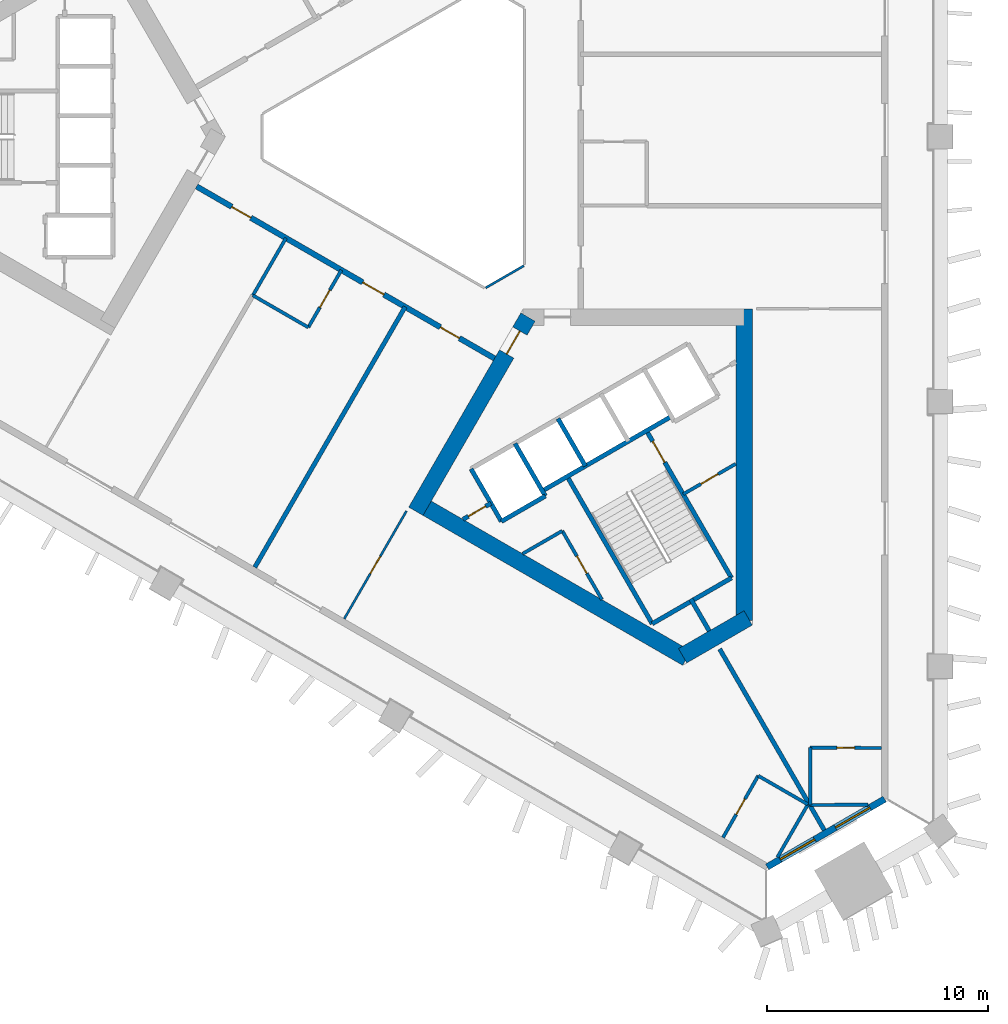
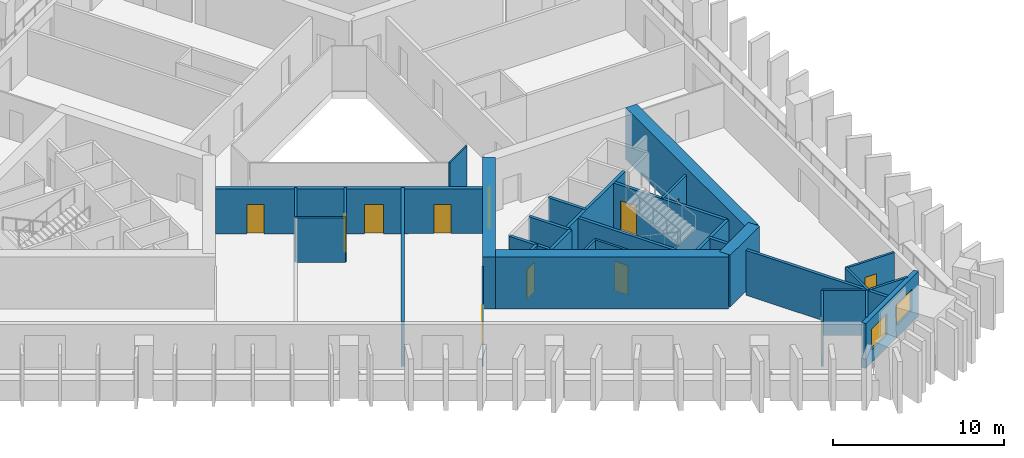
# One storey, part 3 of 11: 32 walls, 12 doors, 2 windows, 14 openings.
"""IFC4 building model written with IfcOpenShell, lengths in metres."""

from ifc_helpers import new_model, si_unit, direction, frame, frame_2d, origin, place, context, subcontext, project, spatial, rectangle, extrude, material, layer, layer_set, type_object, element, fill, save


model = new_model("IFC4")

# Units and contexts
model_context = context("Model", 3, precision=1e-05, world=origin(), true_north=direction((0.0, 1.0)))
body_context = subcontext(model_context, "Body", "Model", "MODEL_VIEW")
ifc_project = project(units=[si_unit("LENGTHUNIT", "METRE"), si_unit("AREAUNIT", "SQUARE_METRE"), si_unit("VOLUMEUNIT", "CUBIC_METRE"), si_unit("PLANEANGLEUNIT", "RADIAN"), si_unit("MASSUNIT", "GRAM", prefix="KILO")], contexts=[model_context])

# Site, building, storey
site_placement = place(None, origin())
site = spatial("IfcSite", under=ifc_project, at=site_placement, CompositionType="ELEMENT")
building_placement = place(site_placement, origin())
building = spatial("IfcBuilding", under=site, at=building_placement, Name="Jabali Bay Hotel Tower and Convention Centre", CompositionType="ELEMENT")
storey_placement = place(building_placement, frame((0.0, 0.0, 61.0)))
storey = spatial("IfcBuildingStorey", under=building, at=storey_placement, Name="L13", CompositionType="ELEMENT", Elevation=61.0)

# Walls
ifc_material_1 = material(Name="Fire-resistant glazing", Category="glass")
ifc_layer_1 = layer(ifc_material_1, 0.10009765625)
ifc_layer_set_1 = layer_set([ifc_layer_1], Name="Fire-resistant glazing")
wall_type_1 = type_object("IfcWallType", Name="Atrium glazed screen 100", PredefinedType="PARTITIONING", material=ifc_layer_set_1)
wall_1_placement = place(storey_placement, frame((77.7978515625, 73.15380859375, 0.0), z_axis=(0.0, 0.0, 1.0), x_axis=(0.866041268327, 0.499972520799, 0.0)))
element("IfcWall", 1, at=wall_1_placement, inside=storey, type_object=wall_type_1, Name="Atrium screen 6 L13", PredefinedType="PARTITIONING", context=body_context, shape_type="SweptSolid", body=[
    extrude(rectangle(XDim=2.0, YDim=0.10009765625, at=frame_2d((1.0, 0.0))), origin(), (0.0, 0.0, 1.0), 3.199951171875),
])
ifc_material_2 = material(Name="Concrete C40", Category="concrete")
ifc_layer_2 = layer(ifc_material_2, 0.199951171875)
ifc_layer_set_2 = layer_set([ifc_layer_2], Name="Concrete C40")
wall_type_2 = type_object("IfcWallType", Name="Core partition wall 200", PredefinedType="PARTITIONING", material=ifc_layer_set_2)
wall_2_placement = place(storey_placement, frame((87.090087890625, 59.0595703125, 0.0), z_axis=(0.0, 0.0, 1.0), x_axis=(0.499937194881, -0.866061661301, 0.0)))
element("IfcWall", 2, at=wall_2_placement, inside=storey, type_object=wall_type_2, Name="Core wall 2.5 L13", PredefinedType="PARTITIONING", context=body_context, shape_type="SweptSolid", body=[
    extrude(rectangle(XDim=1.673095703125, YDim=0.199951171875, at=frame_2d((0.83642578125, 0.0))), origin(), (0.0, 0.0, 1.0), 3.199951171875),
])

# Wall, opening, door
wall_3_placement = place(storey_placement, frame((76.77001953125, 62.662109375, 0.0), z_axis=(0.0, 0.0, 1.0), x_axis=(0.866054810376, 0.49994906283, 0.0)))
wall_3 = element("IfcWall", 3, at=wall_3_placement, inside=storey, type_object=wall_type_2, Name="Core wall 2.11 L13", PredefinedType="PARTITIONING", context=body_context, shape_type="SweptSolid", body=[
    extrude(rectangle(XDim=1.461181640625, YDim=0.199951171875, at=frame_2d((0.73046875, 0.0))), origin(), (0.0, 0.0, 1.0), 3.199951171875),
])
opening_1_placement = place(wall_3_placement, frame((0.280517578125, 0.0, 0.0)))
opening_1 = element("IfcOpeningElement", 4, at=opening_1_placement, cuts=wall_3, Name="Opening D363", PredefinedType="OPENING", context=body_context, shape_type="SweptSolid", body=[
    extrude(rectangle(XDim=0.89990234375, YDim=2.10009765625, at=frame_2d((0.449951171875, 1.050048828125))), frame((0.0, 0.1103515625, 0.0), z_axis=(0.0, -1.0, 0.0), x_axis=(1.0, 0.0, 0.0)), (0.0, 0.0, 1.0), 0.220947265625),
])
ifc_material_3 = material(Name="Fire-rated steel door", Category="steel")
door_type_1 = type_object("IfcDoorType", Name="Vestibule fire door 900 x 2100", OperationType="NOTDEFINED", PredefinedType="NOTDEFINED", material=ifc_material_3)
door_1_placement = place(opening_1_placement, origin())
door_1 = element("IfcDoor", 5, at=door_1_placement, inside=storey, type_object=door_type_1, Name="Vestibule fire door D363", OperationType="SINGLE_SWING_LEFT", OverallHeight=2.10009765625, OverallWidth=0.89990234375, PredefinedType="NOTDEFINED", context=body_context, shape_type="SweptSolid", body=[
    extrude(rectangle(XDim=0.89990234375, YDim=2.10009765625, at=frame_2d((0.449951171875, 1.050048828125))), frame((0.0, 0.02490234375, 0.0), z_axis=(0.0, -1.0, 0.0), x_axis=(1.0, 0.0, 0.0)), (0.0, 0.0, 1.0), 0.050048828125),
])
fill(opening_1, door_1)

ifc_material_4 = material(Name="Fire-rated board partition")
ifc_layer_3 = layer(ifc_material_4, 0.14990234375)
ifc_layer_set_3 = layer_set([ifc_layer_3], Name="Fire-rated board partition")
wall_type_3 = type_object("IfcWallType", Name="Core room partition 150", PredefinedType="PARTITIONING", material=ifc_layer_set_3)
wall_4_placement = place(storey_placement, frame((81.268798828125, 62.141845703125, 0.0), z_axis=(0.0, 0.0, 1.0), x_axis=(0.500043557135, -0.866000254601, 0.0)))
wall_4 = element("IfcWall", 6, at=wall_4_placement, inside=storey, type_object=wall_type_3, Name="Core wall 2.1 L13", PredefinedType="PARTITIONING", context=body_context, shape_type="SweptSolid", body=[
    extrude(rectangle(XDim=3.597900390625, YDim=0.14990234375, at=frame_2d((1.798828125, 0.0))), origin(), (0.0, 0.0, 1.0), 3.199951171875),
])
opening_2_placement = place(wall_4_placement, frame((1.321533203125, 0.0, 0.0)))
opening_2 = element("IfcOpeningElement", 7, at=opening_2_placement, cuts=wall_4, Name="Opening D365", PredefinedType="OPENING", context=body_context, shape_type="SweptSolid", body=[
    extrude(rectangle(XDim=0.89990234375, YDim=2.10009765625, at=frame_2d((0.449951171875, 1.050048828125))), frame((0.0, 0.08544921875, 0.0), z_axis=(0.0, -1.0, 0.0), x_axis=(1.0, 0.0, 0.0)), (0.0, 0.0, 1.0), 0.1708984375),
])
door_type_2 = type_object("IfcDoorType", Name="Core room door 900 x 2100", OperationType="NOTDEFINED", PredefinedType="NOTDEFINED", material=ifc_material_3)
door_2_placement = place(opening_2_placement, origin())
door_2 = element("IfcDoor", 8, at=door_2_placement, inside=storey, type_object=door_type_2, Name="Core room door D365", OperationType="SINGLE_SWING_LEFT", OverallHeight=2.10009765625, OverallWidth=0.89990234375, PredefinedType="NOTDEFINED", context=body_context, shape_type="SweptSolid", body=[
    extrude(rectangle(XDim=0.89990234375, YDim=2.10009765625, at=frame_2d((0.449951171875, 1.050048828125))), frame((0.0, 0.02490234375, 0.0), z_axis=(0.0, -1.0, 0.0), x_axis=(1.0, 0.0, 0.0)), (0.0, 0.0, 1.0), 0.050048828125),
])
fill(opening_2, door_2)

# Wall
wall_5_placement = place(storey_placement, frame((79.469970703125, 61.103271484375, 0.0), z_axis=(0.0, 0.0, 1.0), x_axis=(0.866021168401, 0.500007335828, 0.0)))
element("IfcWall", 9, at=wall_5_placement, inside=storey, type_object=wall_type_3, Name="Core wall 2.16 L13", PredefinedType="PARTITIONING", context=body_context, shape_type="SweptSolid", body=[
    extrude(rectangle(XDim=2.0771484375, YDim=0.14990234375, at=frame_2d((1.03857421875, 0.0))), origin(), (0.0, 0.0, 1.0), 3.199951171875),
])

# Wall, opening, door
wall_6_placement = place(storey_placement, frame((86.7470703125, 63.8037109375, 0.0), z_axis=(0.0, 0.0, 1.0), x_axis=(0.866023045711, 0.500004084281, 0.0)))
wall_6 = element("IfcWall", 10, at=wall_6_placement, inside=storey, type_object=wall_type_3, Name="Core wall 2.17 L13", PredefinedType="PARTITIONING", context=body_context, shape_type="SweptSolid", body=[
    extrude(rectangle(XDim=2.75146484375, YDim=0.14990234375, at=frame_2d((1.375732421875, 0.0))), origin(), (0.0, 0.0, 1.0), 3.199951171875),
])
opening_3_placement = place(wall_6_placement, frame((0.92578125, 0.0, 0.0)))
opening_3 = element("IfcOpeningElement", 11, at=opening_3_placement, cuts=wall_6, Name="Opening D361", PredefinedType="OPENING", context=body_context, shape_type="SweptSolid", body=[
    extrude(rectangle(XDim=0.89990234375, YDim=2.10009765625, at=frame_2d((0.449951171875, 1.050048828125))), frame((0.0, 0.08544921875, 0.0), z_axis=(0.0, -1.0, 0.0), x_axis=(1.0, 0.0, 0.0)), (0.0, 0.0, 1.0), 0.1708984375),
])
door_3_placement = place(opening_3_placement, origin())
door_3 = element("IfcDoor", 12, at=door_3_placement, inside=storey, type_object=door_type_2, Name="Core room door D361", OperationType="SINGLE_SWING_LEFT", OverallHeight=2.10009765625, OverallWidth=0.89990234375, PredefinedType="NOTDEFINED", context=body_context, shape_type="SweptSolid", body=[
    extrude(rectangle(XDim=0.89990234375, YDim=2.10009765625, at=frame_2d((0.449951171875, 1.050048828125))), frame((0.0, 0.02490234375, 0.0), z_axis=(0.0, -1.0, 0.0), x_axis=(1.0, 0.0, 0.0)), (0.0, 0.0, 1.0), 0.050048828125),
])
fill(opening_3, door_3)

# Walls
ifc_layer_4 = layer(ifc_material_2, 0.199951171875)
ifc_layer_set_4 = layer_set([ifc_layer_4], Name="Concrete C40")
wall_type_4 = type_object("IfcWallType", Name="Core stair wall 200", PredefinedType="SOLIDWALL", material=ifc_layer_set_4)
for number, where, z_axis, x_axis, name in (
    (13, (77.13525390625, 64.95166015625, 0.0), (0.0, 0.0, 1.0), (0.499996545922, -0.866027397988, 0.0), "Core wall 2.0 L13"),
    (14, (79.127197265625, 66.1015625, 0.0), (0.0, 0.0, 1.0), (0.499996545922, -0.866027397988, 0.0), "Core wall 2.2 L13"),
):
    element("IfcWall", number, at=place(storey_placement, frame(where, z_axis=z_axis, x_axis=x_axis)), inside=storey, type_object=wall_type_4, Name=name, PredefinedType="SOLIDWALL", context=body_context, shape_type="SweptSolid", body=[
        extrude(rectangle(XDim=2.75, YDim=0.199951171875, at=frame_2d((1.375, 0.0))), origin(), (0.0, 0.0, 1.0), 3.199951171875),
    ])
wall_7_placement = place(storey_placement, frame((81.492919921875, 64.603759765625, 0.0), z_axis=(0.0, 0.0, 1.0), x_axis=(0.500006057782, -0.866021906294, 0.0)))
element("IfcWall", 15, at=wall_7_placement, inside=storey, type_object=wall_type_4, Name="Core wall 2.3 L13", PredefinedType="SOLIDWALL", context=body_context, shape_type="SweptSolid", body=[
    extrude(rectangle(XDim=7.7001953125, YDim=0.199951171875, at=frame_2d((3.85009765625, 0.0))), origin(), (0.0, 0.0, 1.0), 3.199951171875),
])
wall_8_placement = place(storey_placement, frame((81.07568359375, 67.2265625, 0.0), z_axis=(0.0, 0.0, 1.0), x_axis=(0.50000366821, -0.866023285932, 0.0)))
element("IfcWall", 16, at=wall_8_placement, inside=storey, type_object=wall_type_4, Name="Core wall 2.4 L13", PredefinedType="SOLIDWALL", context=body_context, shape_type="SweptSolid", body=[
    extrude(rectangle(XDim=2.47998046875, YDim=0.199951171875, at=frame_2d((1.239990234375, 0.0))), origin(), (0.0, 0.0, 1.0), 3.199951171875),
])

# Wall, opening, door
wall_9_placement = place(storey_placement, frame((85.0869140625, 66.6787109375, 0.0), z_axis=(0.0, 0.0, 1.0), x_axis=(0.500019787375, -0.866013979237, 0.0)))
wall_9 = element("IfcWall", 17, at=wall_9_placement, inside=storey, type_object=wall_type_4, Name="Core wall 2.7 L13", PredefinedType="SOLIDWALL", context=body_context, shape_type="SweptSolid", body=[
    extrude(rectangle(XDim=7.699951171875, YDim=0.199951171875, at=frame_2d((3.85009765625, 0.0))), origin(), (0.0, 0.0, 1.0), 3.199951171875),
])
opening_4_placement = place(wall_9_placement, frame((0.550048828125, 0.0, 0.0)))
opening_4 = element("IfcOpeningElement", 18, at=opening_4_placement, cuts=wall_9, Name="Opening D364", PredefinedType="OPENING", context=body_context, shape_type="SweptSolid", body=[
    extrude(rectangle(XDim=1.10009765625, YDim=2.10009765625, at=frame_2d((0.550048828125, 1.050048828125))), frame((0.0, 0.1103515625, 0.0), z_axis=(0.0, -1.0, 0.0), x_axis=(1.0, 0.0, 0.0)), (0.0, 0.0, 1.0), 0.220947265625),
])
door_type_3 = type_object("IfcDoorType", Name="Stair fire door 1100 x 2100", OperationType="NOTDEFINED", PredefinedType="NOTDEFINED", material=ifc_material_3)
door_4_placement = place(opening_4_placement, origin())
door_4 = element("IfcDoor", 19, at=door_4_placement, inside=storey, type_object=door_type_3, Name="Stair fire door D364", OperationType="SINGLE_SWING_RIGHT", OverallHeight=2.10009765625, OverallWidth=1.10009765625, PredefinedType="NOTDEFINED", context=body_context, shape_type="SweptSolid", body=[
    extrude(rectangle(XDim=1.10009765625, YDim=2.10009765625, at=frame_2d((0.550048828125, 1.050048828125))), frame((0.0, 0.02490234375, 0.0), z_axis=(0.0, -1.0, 0.0), x_axis=(1.0, 0.0, 0.0)), (0.0, 0.0, 1.0), 0.050048828125),
])
fill(opening_4, door_4)

# Walls
wall_10_placement = place(storey_placement, frame((80.3671875, 63.953857421875, 0.0), z_axis=(0.0, 0.0, 1.0), x_axis=(0.866026575979, 0.499997969693, 0.0)))
element("IfcWall", 20, at=wall_10_placement, inside=storey, type_object=wall_type_4, Name="Core wall 2.13 L13", PredefinedType="SOLIDWALL", context=body_context, shape_type="SweptSolid", body=[
    extrude(rectangle(XDim=6.75, YDim=0.199951171875, at=frame_2d((3.375, 0.0))), origin(), (0.0, 0.0, 1.0), 3.199951171875),
])
wall_11_placement = place(storey_placement, frame((78.51025390625, 62.570068359375, 0.0), z_axis=(0.0, 0.0, 1.0), x_axis=(0.866053019151, 0.499952165731, 0.0)))
element("IfcWall", 21, at=wall_11_placement, inside=storey, type_object=wall_type_4, Name="Core wall 2.14 L13", PredefinedType="SOLIDWALL", context=body_context, shape_type="SweptSolid", body=[
    extrude(rectangle(XDim=2.300048828125, YDim=0.199951171875, at=frame_2d((1.14990234375, 0.0))), origin(), (0.0, 0.0, 1.0), 3.199951171875),
])
wall_12_placement = place(storey_placement, frame((85.343017578125, 57.935302734375, 0.0), z_axis=(0.0, 0.0, 1.0), x_axis=(0.866004344652, 0.500036473714, 0.0)))
element("IfcWall", 22, at=wall_12_placement, inside=storey, type_object=wall_type_4, Name="Core wall 2.18 L13", PredefinedType="SOLIDWALL", context=body_context, shape_type="SweptSolid", body=[
    extrude(rectangle(XDim=4.150146484375, YDim=0.199951171875, at=frame_2d((2.0751953125, 0.0))), origin(), (0.0, 0.0, 1.0), 3.199951171875),
])

# Wall, opening, door
ifc_material_5 = material(Name="Concrete C60", Category="concrete")
ifc_layer_5 = layer(ifc_material_5, 0.75)
ifc_layer_set_5 = layer_set([ifc_layer_5], Name="Concrete C60")
wall_type_5 = type_object("IfcWallType", Name="Core wall 750", PredefinedType="SHEAR", material=ifc_layer_set_5)
wall_13_placement = place(storey_placement, frame((79.716552734375, 71.830810546875, 0.0), z_axis=(0.0, 0.0, 1.0), x_axis=(-0.499996230114, -0.866027580318, 0.0)))
wall_13 = element("IfcWall", 23, at=wall_13_placement, inside=storey, type_object=wall_type_5, Name="Core wall 3.1 L13", PredefinedType="SHEAR", context=body_context, shape_type="SweptSolid", body=[
    extrude(rectangle(XDim=10.16357421875, YDim=0.75, at=frame_2d((5.081787109375, 0.0))), origin(), (0.0, 0.0, 1.0), 3.699951171875),
])
opening_5_placement = place(wall_13_placement, frame((0.7333984375, 0.0, 0.0)))
opening_5 = element("IfcOpeningElement", 24, at=opening_5_placement, cuts=wall_13, Name="Opening D359", PredefinedType="OPENING", context=body_context, shape_type="SweptSolid", body=[
    extrude(rectangle(XDim=1.199951171875, YDim=2.10009765625, at=frame_2d((0.60009765625, 1.050048828125))), frame((0.0, 0.385498046875, 0.0), z_axis=(0.0, -1.0, 0.0), x_axis=(1.0, 0.0, 0.0)), (0.0, 0.0, 1.0), 0.77099609375),
])
door_type_4 = type_object("IfcDoorType", Name="Corridor end fire door 1200 x 2100", OperationType="NOTDEFINED", PredefinedType="NOTDEFINED", material=ifc_material_3)
door_5_placement = place(opening_5_placement, origin())
door_5 = element("IfcDoor", 25, at=door_5_placement, inside=storey, type_object=door_type_4, Name="Corridor end fire door D359", OperationType="SINGLE_SWING_RIGHT", OverallHeight=2.10009765625, OverallWidth=1.199951171875, PredefinedType="NOTDEFINED", context=body_context, shape_type="SweptSolid", body=[
    extrude(rectangle(XDim=1.199951171875, YDim=2.10009765625, at=frame_2d((0.60009765625, 1.050048828125))), frame((0.0, 0.02490234375, 0.0), z_axis=(0.0, -1.0, 0.0), x_axis=(1.0, 0.0, 0.0)), (0.0, 0.0, 1.0), 0.050048828125),
])
fill(opening_5, door_5)

# Walls
wall_14_placement = place(storey_placement, frame((74.822265625, 63.353759765625, 0.0), z_axis=(0.0, 0.0, 1.0), x_axis=(0.8660248072, -0.500001033313, 0.0)))
element("IfcWall", 26, at=wall_14_placement, inside=storey, type_object=wall_type_5, Name="Core wall 3.2 L13", PredefinedType="SHEAR", context=body_context, shape_type="SweptSolid", body=[
    extrude(rectangle(XDim=13.95849609375, YDim=0.75, at=frame_2d((6.979248046875, 0.0))), origin(), (0.0, 0.0, 1.0), 3.699951171875),
])
wall_15_placement = place(storey_placement, frame((86.72314453125, 56.482666015625, 0.0), z_axis=(0.0, 0.0, 1.0), x_axis=(0.866017201164, 0.500014207086, 0.0)))
element("IfcWall", 27, at=wall_15_placement, inside=storey, type_object=wall_type_5, Name="Core wall 3.3 L13", PredefinedType="SHEAR", context=body_context, shape_type="SweptSolid", body=[
    extrude(rectangle(XDim=3.4287109375, YDim=0.75, at=frame_2d((1.71435546875, 0.0))), origin(), (0.0, 0.0, 1.0), 3.699951171875),
])
wall_16_placement = place(storey_placement, frame((89.5048828125, 58.0888671875, 0.0), z_axis=(0.0, 0.0, 1.0), x_axis=(0.0, 1.0, 0.0)))
element("IfcWall", 28, at=wall_16_placement, inside=storey, type_object=wall_type_5, Name="Core wall 3.4 L13", PredefinedType="SHEAR", context=body_context, shape_type="SweptSolid", body=[
    extrude(rectangle(XDim=14.116943359375, YDim=0.75, at=frame_2d((7.05859375, 0.0))), origin(), (0.0, 0.0, 1.0), 3.699951171875),
])

# Wall, openings, doors
ifc_layer_6 = layer(ifc_material_5, 0.25)
ifc_layer_set_6 = layer_set([ifc_layer_6], Name="Concrete C60")
wall_type_6 = type_object("IfcWallType", Name="Corridor wall 250", PredefinedType="SHEAR", material=ifc_layer_set_6)
wall_17_placement = place(storey_placement, frame((64.699951171875, 77.748291015625, 0.0), z_axis=(0.0, 0.0, 1.0), x_axis=(0.866026492143, -0.499998114903, 0.0)))
wall_17 = element("IfcWall", 29, at=wall_17_placement, inside=storey, type_object=wall_type_6, Name="Corridor wall 3 L13", PredefinedType="SHEAR", context=body_context, shape_type="SweptSolid", body=[
    extrude(rectangle(XDim=15.58837890625, YDim=0.25, at=frame_2d((7.794189453125, 0.0))), origin(), (0.0, 0.0, 1.0), 3.199951171875),
])
opening_6_placement = place(wall_17_placement, frame((1.83837890625, 0.0, 0.0)))
opening_6 = element("IfcOpeningElement", 30, at=opening_6_placement, cuts=wall_17, Name="Opening 1317", PredefinedType="OPENING", context=body_context, shape_type="SweptSolid", body=[
    extrude(rectangle(XDim=1.0, YDim=2.10009765625, at=frame_2d((0.5, 1.050048828125))), frame((0.0, 0.135498046875, 0.0), z_axis=(0.0, -1.0, 0.0), x_axis=(1.0, 0.0, 0.0)), (0.0, 0.0, 1.0), 0.27099609375),
])
opening_7_placement = place(wall_17_placement, frame((8.694091796875, 0.0, 0.0)))
opening_7 = element("IfcOpeningElement", 31, at=opening_7_placement, cuts=wall_17, Name="Opening 1321", PredefinedType="OPENING", context=body_context, shape_type="SweptSolid", body=[
    extrude(rectangle(XDim=1.10009765625, YDim=2.10009765625, at=frame_2d((0.550048828125, 1.050048828125))), frame((0.0, 0.135498046875, 0.0), z_axis=(0.0, -1.0, 0.0), x_axis=(1.0, 0.0, 0.0)), (0.0, 0.0, 1.0), 0.27099609375),
])
opening_8_placement = place(wall_17_placement, frame((12.750244140625, 0.0, 0.0)))
opening_8 = element("IfcOpeningElement", 32, at=opening_8_placement, cuts=wall_17, Name="Opening 1322", PredefinedType="OPENING", context=body_context, shape_type="SweptSolid", body=[
    extrude(rectangle(XDim=1.0, YDim=2.10009765625, at=frame_2d((0.5, 1.050048828125))), frame((0.0, 0.135498046875, 0.0), z_axis=(0.0, -1.0, 0.0), x_axis=(1.0, 0.0, 0.0)), (0.0, 0.0, 1.0), 0.27099609375),
])
ifc_material_6 = material(Name="Timber", Category="wood")
door_type_5 = type_object("IfcDoorType", Name="Accessible guest room door 1100 x 2100", OperationType="NOTDEFINED", PredefinedType="NOTDEFINED", material=ifc_material_6)
door_6_placement = place(opening_7_placement, origin())
door_6 = element("IfcDoor", 33, at=door_6_placement, inside=storey, type_object=door_type_5, Name="Door 1321", OperationType="SINGLE_SWING_RIGHT", OverallHeight=2.10009765625, OverallWidth=1.10009765625, PredefinedType="NOTDEFINED", context=body_context, shape_type="SweptSolid", body=[
    extrude(rectangle(XDim=1.10009765625, YDim=2.10009765625, at=frame_2d((0.550048828125, 1.050048828125))), frame((0.0, 0.02490234375, 0.0), z_axis=(0.0, -1.0, 0.0), x_axis=(1.0, 0.0, 0.0)), (0.0, 0.0, 1.0), 0.050048828125),
])
fill(opening_7, door_6)
door_type_6 = type_object("IfcDoorType", Name="Guest room door 1000 x 2100", OperationType="NOTDEFINED", PredefinedType="NOTDEFINED", material=ifc_material_6)
door_7_placement = place(opening_6_placement, origin())
door_7 = element("IfcDoor", 34, at=door_7_placement, inside=storey, type_object=door_type_6, Name="Door 1317", OperationType="SINGLE_SWING_LEFT", OverallHeight=2.10009765625, OverallWidth=1.0, PredefinedType="NOTDEFINED", context=body_context, shape_type="SweptSolid", body=[
    extrude(rectangle(XDim=1.0, YDim=2.10009765625, at=frame_2d((0.5, 1.050048828125))), frame((0.0, 0.02490234375, 0.0), z_axis=(0.0, -1.0, 0.0), x_axis=(1.0, 0.0, 0.0)), (0.0, 0.0, 1.0), 0.050048828125),
])
fill(opening_6, door_7)
door_8_placement = place(opening_8_placement, origin())
door_8 = element("IfcDoor", 35, at=door_8_placement, inside=storey, type_object=door_type_6, Name="Door 1322", OperationType="SINGLE_SWING_RIGHT", OverallHeight=2.10009765625, OverallWidth=1.0, PredefinedType="NOTDEFINED", context=body_context, shape_type="SweptSolid", body=[
    extrude(rectangle(XDim=1.0, YDim=2.10009765625, at=frame_2d((0.5, 1.050048828125))), frame((0.0, 0.02490234375, 0.0), z_axis=(0.0, -1.0, 0.0), x_axis=(1.0, 0.0, 0.0)), (0.0, 0.0, 1.0), 0.050048828125),
])
fill(opening_8, door_8)

# Wall, openings, windows
ifc_layer_7 = layer(ifc_material_2, 0.300048828125)
ifc_layer_set_7 = layer_set([ifc_layer_7], Name="Concrete C40")
wall_type_7 = type_object("IfcWallType", Name="External wall 300", PredefinedType="SOLIDWALL", material=ifc_layer_set_7)
wall_18_placement = place(storey_placement, frame((95.8740234375, 49.9873046875, 0.0), z_axis=(0.0, 0.0, 1.0), x_axis=(-0.866013487713, -0.500020638674, 0.0)))
wall_18 = element("IfcWall", 36, at=wall_18_placement, inside=storey, type_object=wall_type_7, Name="External wall south-east chamfer L13", PredefinedType="SOLIDWALL", context=body_context, shape_type="SweptSolid", body=[
    extrude(rectangle(XDim=6.142333984375, YDim=0.300048828125, at=frame_2d((3.0712890625, 0.0))), origin(), (0.0, 0.0, 1.0), 3.199951171875),
])
opening_9_placement = place(wall_18_placement, frame((0.7705078125, 0.0, 0.89990234375)))
opening_9 = element("IfcOpeningElement", 37, at=opening_9_placement, cuts=wall_18, Name="Opening W1", PredefinedType="OPENING", context=body_context, shape_type="SweptSolid", body=[
    extrude(rectangle(XDim=1.800048828125, YDim=1.5, at=frame_2d((0.89990234375, 0.75))), frame((0.0, 0.16064453125, 0.0), z_axis=(0.0, -1.0, 0.0), x_axis=(1.0, 0.0, 0.0)), (0.0, 0.0, 1.0), 0.321044921875),
])
opening_10_placement = place(wall_18_placement, frame((3.65576171875, 0.0, 0.89990234375)))
opening_10 = element("IfcOpeningElement", 38, at=opening_10_placement, cuts=wall_18, Name="Opening W1", PredefinedType="OPENING", context=body_context, shape_type="SweptSolid", body=[
    extrude(rectangle(XDim=1.800048828125, YDim=1.5, at=frame_2d((0.89990234375, 0.75))), frame((0.0, 0.16064453125, 0.0), z_axis=(0.0, -1.0, 0.0), x_axis=(1.0, 0.0, 0.0)), (0.0, 0.0, 1.0), 0.321044921875),
])
ifc_material_7 = material(Name="Glass", Category="glass")
window_type = type_object("IfcWindowType", Name="Window 1800 x 1500", PartitioningType="SINGLE_PANEL", PredefinedType="WINDOW", material=ifc_material_7)
window_1_placement = place(opening_9_placement, origin())
window_1 = element("IfcWindow", 39, at=window_1_placement, inside=storey, type_object=window_type, Name="Window 1301", OverallHeight=1.5, OverallWidth=1.800048828125, PartitioningType="SINGLE_PANEL", PredefinedType="WINDOW", context=body_context, shape_type="SweptSolid", body=[
    extrude(rectangle(XDim=1.800048828125, YDim=1.5, at=frame_2d((0.89990234375, 0.75))), frame((0.0, 0.030029296875, 0.0), z_axis=(0.0, -1.0, 0.0), x_axis=(1.0, 0.0, 0.0)), (0.0, 0.0, 1.0), 0.06005859375),
])
fill(opening_9, window_1)
window_2_placement = place(opening_10_placement, origin())
window_2 = element("IfcWindow", 40, at=window_2_placement, inside=storey, type_object=window_type, Name="Window 1309", OverallHeight=1.5, OverallWidth=1.800048828125, PartitioningType="SINGLE_PANEL", PredefinedType="WINDOW", context=body_context, shape_type="SweptSolid", body=[
    extrude(rectangle(XDim=1.800048828125, YDim=1.5, at=frame_2d((0.89990234375, 0.75))), frame((0.0, 0.030029296875, 0.0), z_axis=(0.0, -1.0, 0.0), x_axis=(1.0, 0.0, 0.0)), (0.0, 0.0, 1.0), 0.06005859375),
])
fill(opening_10, window_2)

# Wall, opening, door
ifc_material_8 = material(Name="Plasterboard on steel stud", Category="steel")
ifc_layer_8 = layer(ifc_material_8, 0.10009765625)
ifc_layer_set_8 = layer_set([ifc_layer_8], Name="Plasterboard on steel stud")
wall_type_8 = type_object("IfcWallType", Name="Partition 100 unit", PredefinedType="PARTITIONING", material=ifc_layer_set_8)
wall_19_placement = place(storey_placement, frame((71.387451171875, 58.154296875, 0.0), z_axis=(0.0, 0.0, 1.0), x_axis=(0.499975725007, 0.866039418504, 0.0)))
wall_19 = element("IfcWall", 41, at=wall_19_placement, inside=storey, type_object=wall_type_8, Name="Partition P02 L13 038", PredefinedType="PARTITIONING", context=body_context, shape_type="SweptSolid", body=[
    extrude(rectangle(XDim=5.646240234375, YDim=0.10009765625, at=frame_2d((2.8232421875, 0.0))), origin(), (0.0, 0.0, 1.0), 3.199951171875),
])
opening_11_placement = place(wall_19_placement, frame((2.373046875, 0.0, 0.0)))
opening_11 = element("IfcOpeningElement", 42, at=opening_11_placement, cuts=wall_19, Name="Opening 1323", PredefinedType="OPENING", context=body_context, shape_type="SweptSolid", body=[
    extrude(rectangle(XDim=0.89990234375, YDim=2.10009765625, at=frame_2d((0.449951171875, 1.050048828125))), frame((0.0, 0.060546875, 0.0), z_axis=(0.0, -1.0, 0.0), x_axis=(1.0, 0.0, 0.0)), (0.0, 0.0, 1.0), 0.12109375),
])
door_type_7 = type_object("IfcDoorType", Name="Internal door 900 x 2100", OperationType="NOTDEFINED", PredefinedType="NOTDEFINED", material=ifc_material_6)
door_9_placement = place(opening_11_placement, origin())
door_9 = element("IfcDoor", 43, at=door_9_placement, inside=storey, type_object=door_type_7, Name="Door 1323", OperationType="SINGLE_SWING_LEFT", OverallHeight=2.10009765625, OverallWidth=0.89990234375, PredefinedType="NOTDEFINED", context=body_context, shape_type="SweptSolid", body=[
    extrude(rectangle(XDim=0.89990234375, YDim=2.10009765625, at=frame_2d((0.449951171875, 1.050048828125))), frame((0.0, 0.02490234375, 0.0), z_axis=(0.0, -1.0, 0.0), x_axis=(1.0, 0.0, 0.0)), (0.0, 0.0, 1.0), 0.050048828125),
])
fill(opening_11, door_9)

# Walls
ifc_layer_9 = layer(ifc_material_8, 0.14990234375)
ifc_layer_set_9 = layer_set([ifc_layer_9], Name="Plasterboard on steel stud")
wall_type_9 = type_object("IfcWallType", Name="Partition 150 wet", PredefinedType="PARTITIONING", material=ifc_layer_set_9)
wall_20_placement = place(storey_placement, frame((95.13134765625, 49.73046875, 0.0), z_axis=(0.0, 0.0, 1.0), x_axis=(-0.999994721507, -0.00324914735, 0.0)))
element("IfcWall", 44, at=wall_20_placement, inside=storey, type_object=wall_type_9, Name="Partition P03 L13 004", PredefinedType="PARTITIONING", context=body_context, shape_type="SweptSolid", body=[
    extrude(rectangle(XDim=2.6298828125, YDim=0.14990234375, at=frame_2d((1.31494140625, 0.0))), origin(), (0.0, 0.0, 1.0), 3.199951171875),
])
wall_21_placement = place(storey_placement, frame((92.50146484375, 49.721923828125, 0.0), z_axis=(0.0, 0.0, 1.0), x_axis=(0.0, 1.0, 0.0)))
element("IfcWall", 45, at=wall_21_placement, inside=storey, type_object=wall_type_9, Name="Partition P03 L13 005", PredefinedType="PARTITIONING", context=body_context, shape_type="SweptSolid", body=[
    extrude(rectangle(XDim=2.599853515625, YDim=0.14990234375, at=frame_2d((1.2998046875, 0.0))), origin(), (0.0, 0.0, 1.0), 3.199951171875),
])

# Wall, opening, door
wall_22_placement = place(storey_placement, frame((92.50146484375, 52.32177734375, 0.0), z_axis=(0.0, 0.0, 1.0), x_axis=(0.999982552355, -0.005907197749, 0.0)))
wall_22 = element("IfcWall", 46, at=wall_22_placement, inside=storey, type_object=wall_type_9, Name="Partition P03 L13 006", PredefinedType="PARTITIONING", context=body_context, shape_type="SweptSolid", body=[
    extrude(rectangle(XDim=3.2236328125, YDim=0.14990234375, at=frame_2d((1.61181640625, 0.0))), origin(), (0.0, 0.0, 1.0), 3.199951171875),
])
opening_12_placement = place(wall_22_placement, frame((1.2119140625, 0.0, 0.0)))
opening_12 = element("IfcOpeningElement", 47, at=opening_12_placement, cuts=wall_22, Name="Opening 1303", PredefinedType="OPENING", context=body_context, shape_type="SweptSolid", body=[
    extrude(rectangle(XDim=0.800048828125, YDim=2.10009765625, at=frame_2d((0.39990234375, 1.050048828125))), frame((0.0, 0.08544921875, 0.0), z_axis=(0.0, -1.0, 0.0), x_axis=(1.0, 0.0, 0.0)), (0.0, 0.0, 1.0), 0.1708984375),
])
door_type_8 = type_object("IfcDoorType", Name="En-suite door 800 x 2100", OperationType="NOTDEFINED", PredefinedType="NOTDEFINED", material=ifc_material_6)
door_10_placement = place(opening_12_placement, origin())
door_10 = element("IfcDoor", 48, at=door_10_placement, inside=storey, type_object=door_type_8, Name="Door 1303", OperationType="SINGLE_SWING_LEFT", OverallHeight=2.10009765625, OverallWidth=0.800048828125, PredefinedType="NOTDEFINED", context=body_context, shape_type="SweptSolid", body=[
    extrude(rectangle(XDim=0.800048828125, YDim=2.10009765625, at=frame_2d((0.39990234375, 1.050048828125))), frame((0.0, 0.02490234375, 0.0), z_axis=(0.0, -1.0, 0.0), x_axis=(1.0, 0.0, 0.0)), (0.0, 0.0, 1.0), 0.050048828125),
])
fill(opening_12, door_10)

# Wall
wall_23_placement = place(storey_placement, frame((67.25, 72.81201171875, 0.0), z_axis=(0.0, 0.0, 1.0), x_axis=(0.499990139034, 0.866031096941, 0.0)))
element("IfcWall", 49, at=wall_23_placement, inside=storey, type_object=wall_type_9, Name="Partition P03 L13 031", PredefinedType="PARTITIONING", context=body_context, shape_type="SweptSolid", body=[
    extrude(rectangle(XDim=3.0, YDim=0.14990234375, at=frame_2d((1.5, 0.0))), origin(), (0.0, 0.0, 1.0), 3.199951171875),
])

# Wall, opening, door
wall_24_placement = place(storey_placement, frame((71.261474609375, 73.9599609375, 0.0), z_axis=(0.0, 0.0, 1.0), x_axis=(-0.50002537861, -0.866010750942, 0.0)))
wall_24 = element("IfcWall", 50, at=wall_24_placement, inside=storey, type_object=wall_type_9, Name="Partition P03 L13 035", PredefinedType="PARTITIONING", context=body_context, shape_type="SweptSolid", body=[
    extrude(rectangle(XDim=2.999755859375, YDim=0.14990234375, at=frame_2d((1.5, 0.0))), origin(), (0.0, 0.0, 1.0), 3.199951171875),
])
opening_13_placement = place(wall_24_placement, frame((1.050048828125, 0.0, 0.0)))
opening_13 = element("IfcOpeningElement", 51, at=opening_13_placement, cuts=wall_24, Name="Opening 1320", PredefinedType="OPENING", context=body_context, shape_type="SweptSolid", body=[
    extrude(rectangle(XDim=0.89990234375, YDim=2.10009765625, at=frame_2d((0.449951171875, 1.050048828125))), frame((0.0, 0.08544921875, 0.0), z_axis=(0.0, -1.0, 0.0), x_axis=(1.0, 0.0, 0.0)), (0.0, 0.0, 1.0), 0.1708984375),
])
door_type_9 = type_object("IfcDoorType", Name="Accessible en-suite door 900 x 2100", OperationType="NOTDEFINED", PredefinedType="NOTDEFINED", material=ifc_material_6)
door_11_placement = place(opening_13_placement, origin())
door_11 = element("IfcDoor", 52, at=door_11_placement, inside=storey, type_object=door_type_9, Name="Door 1320", OperationType="SINGLE_SWING_RIGHT", OverallHeight=2.10009765625, OverallWidth=0.89990234375, PredefinedType="NOTDEFINED", context=body_context, shape_type="SweptSolid", body=[
    extrude(rectangle(XDim=0.89990234375, YDim=2.10009765625, at=frame_2d((0.449951171875, 1.050048828125))), frame((0.0, 0.02490234375, 0.0), z_axis=(0.0, -1.0, 0.0), x_axis=(1.0, 0.0, 0.0)), (0.0, 0.0, 1.0), 0.050048828125),
])
fill(opening_13, door_11)

# Wall
wall_25_placement = place(storey_placement, frame((69.761474609375, 71.362060546875, 0.0), z_axis=(0.0, 0.0, 1.0), x_axis=(-0.866032775405, 0.499987231761, 0.0)))
element("IfcWall", 53, at=wall_25_placement, inside=storey, type_object=wall_type_9, Name="Partition P03 L13 036", PredefinedType="PARTITIONING", context=body_context, shape_type="SweptSolid", body=[
    extrude(rectangle(XDim=2.89990234375, YDim=0.14990234375, at=frame_2d((1.449951171875, 0.0))), origin(), (0.0, 0.0, 1.0), 3.199951171875),
])

# Wall, opening, door
wall_26_placement = place(storey_placement, frame((88.55126953125, 48.244873046875, 0.0), z_axis=(0.0, 0.0, 1.0), x_axis=(0.494849738902, 0.868978558947, 0.0)))
wall_26 = element("IfcWall", 54, at=wall_26_placement, inside=storey, type_object=wall_type_9, Name="Partition P03 L13 039", PredefinedType="PARTITIONING", context=body_context, shape_type="SweptSolid", body=[
    extrude(rectangle(XDim=3.2236328125, YDim=0.14990234375, at=frame_2d((1.61181640625, 0.0))), origin(), (0.0, 0.0, 1.0), 3.199951171875),
])
opening_14_placement = place(wall_26_placement, frame((1.2119140625, 0.0, 0.0)))
opening_14 = element("IfcOpeningElement", 55, at=opening_14_placement, cuts=wall_26, Name="Opening 1324", PredefinedType="OPENING", context=body_context, shape_type="SweptSolid", body=[
    extrude(rectangle(XDim=0.800048828125, YDim=2.10009765625, at=frame_2d((0.39990234375, 1.050048828125))), frame((0.0, 0.08544921875, 0.0), z_axis=(0.0, -1.0, 0.0), x_axis=(1.0, 0.0, 0.0)), (0.0, 0.0, 1.0), 0.1708984375),
])
door_12_placement = place(opening_14_placement, origin())
door_12 = element("IfcDoor", 56, at=door_12_placement, inside=storey, type_object=door_type_8, Name="Door 1324", OperationType="SINGLE_SWING_LEFT", OverallHeight=2.10009765625, OverallWidth=0.800048828125, PredefinedType="NOTDEFINED", context=body_context, shape_type="SweptSolid", body=[
    extrude(rectangle(XDim=0.800048828125, YDim=2.10009765625, at=frame_2d((0.39990234375, 1.050048828125))), frame((0.0, 0.02490234375, 0.0), z_axis=(0.0, -1.0, 0.0), x_axis=(1.0, 0.0, 0.0)), (0.0, 0.0, 1.0), 0.050048828125),
])
fill(opening_14, door_12)

# Walls
wall_27_placement = place(storey_placement, frame((90.146484375, 51.046142578125, 0.0), z_axis=(0.0, 0.0, 1.0), x_axis=(0.866021400173, -0.500006934395, 0.0)))
element("IfcWall", 57, at=wall_27_placement, inside=storey, type_object=wall_type_9, Name="Partition P03 L13 040", PredefinedType="PARTITIONING", context=body_context, shape_type="SweptSolid", body=[
    extrude(rectangle(XDim=2.60009765625, YDim=0.14990234375, at=frame_2d((1.300048828125, 0.0))), origin(), (0.0, 0.0, 1.0), 3.199951171875),
])
wall_28_placement = place(storey_placement, frame((92.398193359375, 49.74609375, 0.0), z_axis=(0.0, 0.0, 1.0), x_axis=(-0.50001084716, -0.866019141083, 0.0)))
element("IfcWall", 58, at=wall_28_placement, inside=storey, type_object=wall_type_9, Name="Partition P03 L13 041", PredefinedType="PARTITIONING", context=body_context, shape_type="SweptSolid", body=[
    extrude(rectangle(XDim=2.76025390625, YDim=0.14990234375, at=frame_2d((1.380126953125, 0.0))), origin(), (0.0, 0.0, 1.0), 3.199951171875),
])
ifc_layer_10 = layer(ifc_material_8, 0.199951171875)
ifc_layer_set_10 = layer_set([ifc_layer_10], Name="Plasterboard on steel stud")
wall_type_10 = type_object("IfcWallType", Name="Partition 200 party", PredefinedType="PARTITIONING", material=ifc_layer_set_10)
wall_29_placement = place(storey_placement, frame((88.401123046875, 56.788818359375, 0.0), z_axis=(0.0, 0.0, 1.0), x_axis=(0.499990030109, -0.866031159827, 0.0)))
element("IfcWall", 59, at=wall_29_placement, inside=storey, type_object=wall_type_10, Name="Partition P01 L13 007", PredefinedType="PARTITIONING", context=body_context, shape_type="SweptSolid", body=[
    extrude(rectangle(XDim=9.477783203125, YDim=0.199951171875, at=frame_2d((4.73876953125, 0.0))), origin(), (0.0, 0.0, 1.0), 3.199951171875),
])
wall_30_placement = place(storey_placement, frame((67.33740234375, 60.49267578125, 0.0), z_axis=(0.0, 0.0, 1.0), x_axis=(0.49999337185, 0.866029230515, 0.0)))
element("IfcWall", 60, at=wall_30_placement, inside=storey, type_object=wall_type_10, Name="Partition P01 L13 037", PredefinedType="PARTITIONING", context=body_context, shape_type="SweptSolid", body=[
    extrude(rectangle(XDim=13.625244140625, YDim=0.199951171875, at=frame_2d((6.8125, 0.0))), origin(), (0.0, 0.0, 1.0), 3.199951171875),
])

save(model, "model.ifc")
